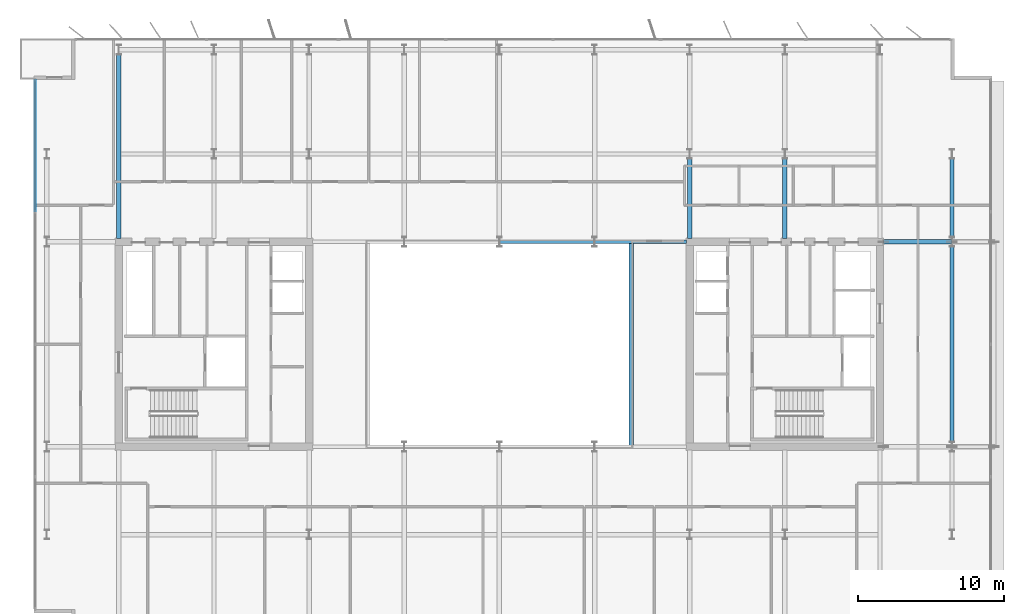
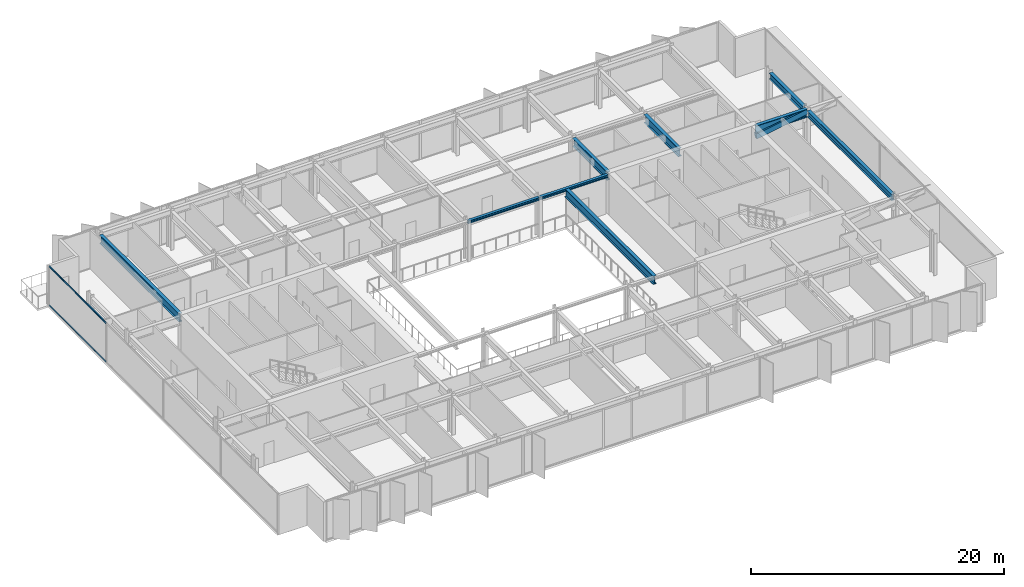
# One storey, part 7 of 20: 9 beams, 3 members, 1 element without a shape of its own.
"""IFC4 building model written with IfcOpenShell, lengths in metres."""

from ifc_helpers import new_model, si_unit, direction, frame, origin, origin_2d, place, context, subcontext, project, spatial, rectangle, hollow_rectangle, i_section, extrude, material, layer, layer_set, material_profile, profile_set, type_object, element, aggregate, save


model = new_model("IFC4")

# Units and contexts
model_context = context("Model", 3, precision=1e-05, world=origin(), true_north=direction((0.0, 1.0)))
body_context = subcontext(model_context, "Body", "Model", "MODEL_VIEW")
ifc_project = project(units=[si_unit("LENGTHUNIT", "METRE"), si_unit("AREAUNIT", "SQUARE_METRE"), si_unit("VOLUMEUNIT", "CUBIC_METRE"), si_unit("PLANEANGLEUNIT", "RADIAN"), si_unit("MASSUNIT", "GRAM", prefix="KILO")], contexts=[model_context])

# Site, building, storey
site_placement = place(None, origin())
site = spatial("IfcSite", under=ifc_project, at=site_placement, CompositionType="ELEMENT")
building_placement = place(site_placement, origin())
building = spatial("IfcBuilding", under=site, at=building_placement, Name="Putna Gate Headquarters", CompositionType="ELEMENT")
storey_placement = place(building_placement, frame((0.0, 0.0, 282.39990234375)))
storey = spatial("IfcBuildingStorey", under=building, at=storey_placement, Name="L71", CompositionType="ELEMENT", Elevation=282.39990234375)

# Beams
ifc_material_1 = material(Name="Steel S355J2", Category="steel")
ifc_material_profile_1 = material_profile(ifc_material_1, i_section(OverallWidth=0.260009765625, OverallDepth=0.260009765625, WebThickness=0.010009765625, FlangeThickness=0.017578125, at=origin_2d()), Name="Steel S355J2")
ifc_profile_set_1 = profile_set([ifc_material_profile_1], Name="Steel S355J2")
beam_type_1 = type_object("IfcBeamType", Name="BM-ATRIUM-HEB260", PredefinedType="BEAM", material=ifc_profile_set_1)
beam_1_placement = place(storey_placement, frame((39.006103515625, 33.0, 3.658203125), z_axis=(1.0, 0.0, 0.0), x_axis=(0.0, 1.0, 0.0)))
element("IfcBeam", 1, at=beam_1_placement, inside=storey, type_object=beam_type_1, Name="L71 Atrium Edge Beam AN3", PredefinedType="BEAM", context=body_context, shape_type="SweptSolid", body=[
    extrude(i_section(OverallWidth=0.260009765625, OverallDepth=0.260009765625, WebThickness=0.010009765625, FlangeThickness=0.017578125, at=origin_2d()), origin(), (0.0, 0.0, 1.0), 6.48779296875),
])
beam_2_placement = place(storey_placement, frame((45.506103515625, 33.0, 3.658203125), z_axis=(1.0, 0.0, 0.0), x_axis=(0.0, 1.0, 0.0)))
element("IfcBeam", 2, at=beam_2_placement, inside=storey, type_object=beam_type_1, Name="L71 Atrium Edge Beam AN4", PredefinedType="BEAM", context=body_context, shape_type="SweptSolid", body=[
    extrude(i_section(OverallWidth=0.260009765625, OverallDepth=0.260009765625, WebThickness=0.010009765625, FlangeThickness=0.017578125, at=origin_2d()), origin(), (0.0, 0.0, 1.0), 6.2587890625),
])
ifc_material_profile_2 = material_profile(ifc_material_1, i_section(OverallWidth=0.300048828125, OverallDepth=0.800048828125, WebThickness=0.017578125, FlangeThickness=0.032958984375, at=origin_2d()), Name="Steel S355J2")
ifc_profile_set_2 = profile_set([ifc_material_profile_2], Name="Steel S355J2")
beam_type_2 = type_object("IfcBeamType", Name="BM-GIRD-P-HEB800", PredefinedType="USERDEFINED", material=ifc_profile_set_2)
beam_3_placement = place(storey_placement, frame((65.235107421875, 33.0, 3.38818359375), z_axis=(1.0, 0.0, 0.0), x_axis=(0.0, 1.0, 0.0)))
element("IfcBeam", 3, at=beam_3_placement, inside=storey, type_object=beam_type_2, Name="L71 East Wing Girder Y33", ObjectType="GIRDER", PredefinedType="USERDEFINED", context=body_context, shape_type="SweptSolid", body=[
    extrude(i_section(OverallWidth=0.300048828125, OverallDepth=0.800048828125, WebThickness=0.017578125, FlangeThickness=0.032958984375, at=origin_2d()), origin(), (0.0, 0.0, 1.0), 4.678955078125),
])
beam_4_placement = place(storey_placement, frame((13.0, 33.235107421875, 3.38818359375), z_axis=(0.0, 1.0, 0.0), x_axis=(-1.0, 0.0, 0.0)))
element("IfcBeam", 4, at=beam_4_placement, inside=storey, type_object=beam_type_2, Name="L71 North Primary Girder X13", ObjectType="GIRDER", PredefinedType="USERDEFINED", context=body_context, shape_type="SweptSolid", body=[
    extrude(i_section(OverallWidth=0.300048828125, OverallDepth=0.800048828125, WebThickness=0.017578125, FlangeThickness=0.032958984375, at=origin_2d()), origin(), (0.0, 0.0, 1.0), 12.56298828125),
])
for number, where, z_axis, x_axis, name in (
    (5, (52.0, 33.235107421875, 3.38818359375), (0.0, 1.0, 0.0), (-1.0, 0.0, 0.0), "L71 North Primary Girder X52-1"),
    (6, (58.5, 33.235107421875, 3.38818359375), (0.0, 1.0, 0.0), (-1.0, 0.0, 0.0), "L71 North Primary Girder X58-1"),
):
    element("IfcBeam", number, at=place(storey_placement, frame(where, z_axis=z_axis, x_axis=x_axis)), inside=storey, type_object=beam_type_2, Name=name, ObjectType="GIRDER", PredefinedType="USERDEFINED", context=body_context, shape_type="SweptSolid", body=[
        extrude(i_section(OverallWidth=0.300048828125, OverallDepth=0.800048828125, WebThickness=0.017578125, FlangeThickness=0.032958984375, at=origin_2d()), origin(), (0.0, 0.0, 1.0), 5.44287109375),
    ])
beam_5_placement = place(storey_placement, frame((48.0, 19.010009765625, 3.38818359375), z_axis=(0.0, 1.0, 0.0), x_axis=(-1.0, 0.0, 0.0)))
element("IfcBeam", 7, at=beam_5_placement, inside=storey, type_object=beam_type_2, Name="L71 Atrium Trim Girder AE", ObjectType="GIRDER", PredefinedType="USERDEFINED", context=body_context, shape_type="SweptSolid", body=[
    extrude(i_section(OverallWidth=0.300048828125, OverallDepth=0.800048828125, WebThickness=0.017578125, FlangeThickness=0.032958984375, at=origin_2d()), origin(), (0.0, 0.0, 1.0), 13.97998046875),
])
ifc_material_profile_3 = material_profile(ifc_material_1, i_section(OverallWidth=0.300048828125, OverallDepth=0.590087890625, WebThickness=0.012939453125, FlangeThickness=0.02490234375, at=origin_2d()), Name="Steel S355J2")
ifc_profile_set_3 = profile_set([ifc_material_profile_3], Name="Steel S355J2")
beam_type_3 = type_object("IfcBeamType", Name="BM-SPAN-Z4-HEA600", PredefinedType="SPANDREL", material=ifc_profile_set_3)
beam_6_placement = place(storey_placement, frame((69.919921875, 19.322021484375, 3.4931640625), z_axis=(0.0, 1.0, 0.0), x_axis=(-1.0, 0.0, 0.0)))
element("IfcBeam", 8, at=beam_6_placement, inside=storey, type_object=beam_type_3, Name="L71 E End Spandrel 2", PredefinedType="SPANDREL", context=body_context, shape_type="SweptSolid", body=[
    extrude(i_section(OverallWidth=0.300048828125, OverallDepth=0.590087890625, WebThickness=0.012939453125, FlangeThickness=0.02490234375, at=origin_2d()), origin(), (0.0, 0.0, 1.0), 13.35595703125),
])
beam_7_placement = place(storey_placement, frame((69.919921875, 33.322021484375, 3.4931640625), z_axis=(0.0, 1.0, 0.0), x_axis=(-1.0, 0.0, 0.0)))
element("IfcBeam", 9, at=beam_7_placement, inside=storey, type_object=beam_type_3, Name="L71 E End Spandrel 3", PredefinedType="SPANDREL", context=body_context, shape_type="SweptSolid", body=[
    extrude(i_section(OverallWidth=0.300048828125, OverallDepth=0.590087890625, WebThickness=0.012939453125, FlangeThickness=0.02490234375, at=origin_2d()), origin(), (0.0, 0.0, 1.0), 5.35595703125),
])

# Member
ifc_material_2 = material(Name="Steel S460M", Category="steel")
ifc_material_profile_4 = material_profile(ifc_material_2, hollow_rectangle(XDim=0.300048828125, YDim=0.5, WallThickness=0.02001953125, at=origin_2d()), Name="Steel S460M")
ifc_profile_set_4 = profile_set([ifc_material_profile_4], Name="Steel S460M")
member_type_1 = type_object("IfcMemberType", Name="MEM-SAIL-ARC-RHS500", PredefinedType="STRUT", material=ifc_profile_set_4)
member_1_placement = place(storey_placement, frame((65.259765625, 33.0, 2.75341796875), z_axis=(0.986151942104, 0.0, 0.16584434595), x_axis=(0.0, 1.0, 0.0)))
element("IfcMember", 10, at=member_1_placement, inside=storey, type_object=member_type_1, Name="L71 East Sail Transfer Arc Strut Y33", PredefinedType="STRUT", context=body_context, shape_type="SweptSolid", body=[
    extrude(hollow_rectangle(XDim=0.300048828125, YDim=0.5, WallThickness=0.02001953125, at=origin_2d()), origin(), (0.0, 0.0, 1.0), 4.710693359375),
])

# Curtain wall, members
ifc_material_3 = material(Name="Anodised bronze aluminium curtain wall", Category="aluminium")
ifc_layer = layer(ifc_material_3, 0.179931640625)
ifc_layer_set = layer_set([ifc_layer], Name="Anodised bronze aluminium curtain wall")
curtain_wall_type = type_object("IfcCurtainWallType", Name="CW-SYS-Z5", PredefinedType="USERDEFINED", material=ifc_layer_set)
curtain_wall_placement = place(storey_placement, origin())
curtain_wall = element("IfcCurtainWall", 11, at=curtain_wall_placement, inside=storey, type_object=curtain_wall_type, Name="L71 West Curtain Wall", ObjectType="STICK CURTAIN WALL", PredefinedType="USERDEFINED")
ifc_material_4 = material(Name="Anodised bronze aluminium EN AW-6060", Category="aluminium")
ifc_material_profile_5 = material_profile(ifc_material_4, rectangle(XDim=0.06005859375, YDim=0.10009765625, at=origin_2d()), Name="Anodised bronze aluminium EN AW-6060")
ifc_profile_set_5 = profile_set([ifc_material_profile_5], Name="Anodised bronze aluminium EN AW-6060")
member_type_2 = type_object("IfcMemberType", Name="TRAN-CWT-5", PredefinedType="USERDEFINED", material=ifc_profile_set_5)
member_2_placement = place(storey_placement, frame((7.280029296875, 35.0849609375, 0.030029296875), z_axis=(0.0, 1.0, 0.0), x_axis=(-1.0, 0.0, 0.0)))
member_2 = element("IfcMember", 12, at=member_2_placement, type_object=member_type_2, Name="CWS-5 transom 4.1", ObjectType="TRANSOM", PredefinedType="USERDEFINED", context=body_context, shape_type="SweptSolid", body=[
    extrude(rectangle(XDim=0.06005859375, YDim=0.10009765625, at=origin_2d()), origin(), (0.0, 0.0, 1.0), 8.945068359375),
])
member_3_placement = place(storey_placement, frame((7.280029296875, 35.0849609375, 3.758056640625), z_axis=(0.0, 1.0, 0.0), x_axis=(-1.0, 0.0, 0.0)))
member_3 = element("IfcMember", 13, at=member_3_placement, type_object=member_type_2, Name="CWS-5 transom 4.2", ObjectType="TRANSOM", PredefinedType="USERDEFINED", context=body_context, shape_type="SweptSolid", body=[
    extrude(rectangle(XDim=0.06005859375, YDim=0.10009765625, at=origin_2d()), origin(), (0.0, 0.0, 1.0), 8.945068359375),
])
aggregate(curtain_wall, [member_2, member_3])

save(model, "model.ifc")
